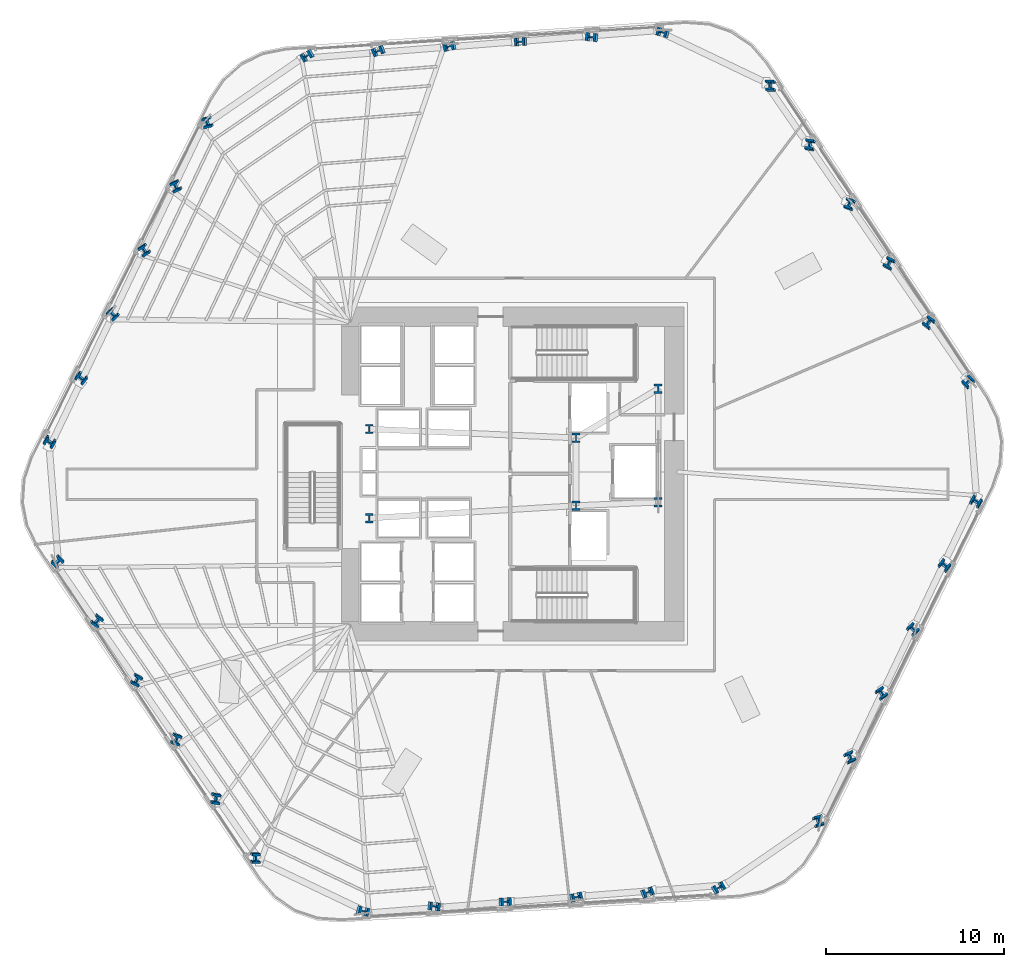
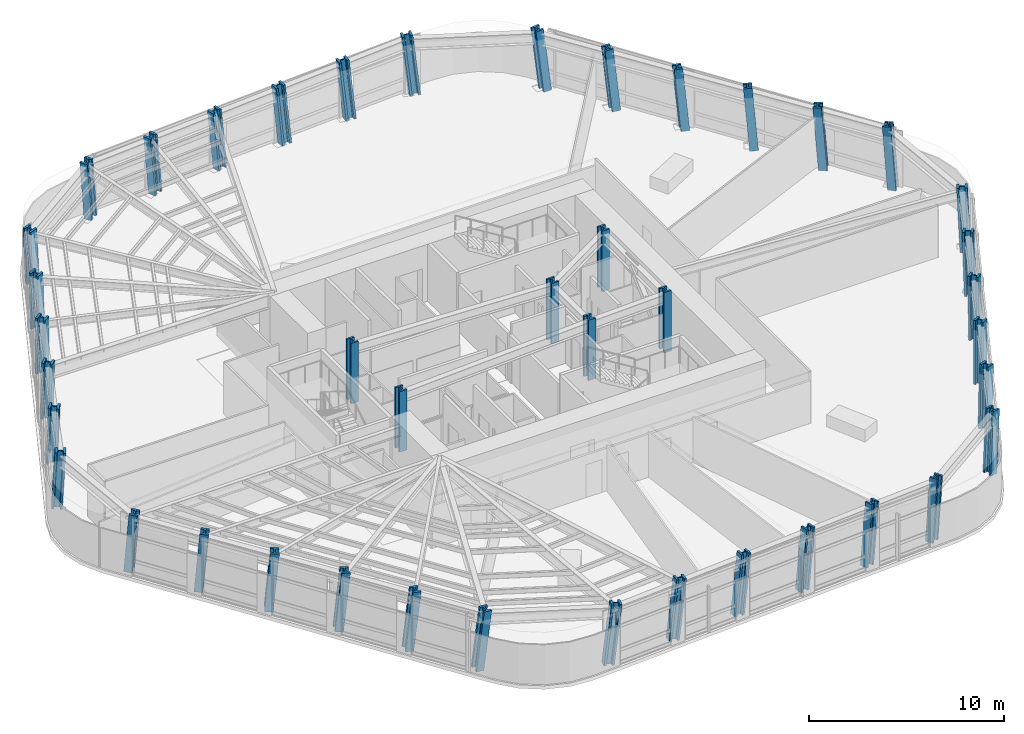
# One storey, part 1 of 15: 42 columns.
"""IFC4 building model written with IfcOpenShell, lengths in metres."""

from ifc_helpers import new_model, si_unit, direction, frame, origin, origin_2d, place, context, subcontext, project, spatial, i_section, extrude, material, material_profile, profile_set, type_object, element, save


model = new_model("IFC4")

# Units and contexts
model_context = context("Model", 3, precision=1e-05, world=origin(), true_north=direction((0.0, 1.0)))
body_context = subcontext(model_context, "Body", "Model", "MODEL_VIEW")
ifc_project = project(units=[si_unit("LENGTHUNIT", "METRE"), si_unit("AREAUNIT", "SQUARE_METRE"), si_unit("VOLUMEUNIT", "CUBIC_METRE"), si_unit("PLANEANGLEUNIT", "RADIAN"), si_unit("MASSUNIT", "GRAM", prefix="KILO")], contexts=[model_context])

# Site, building, storey
site_placement = place(None, origin())
site = spatial("IfcSite", under=ifc_project, at=site_placement, CompositionType="ELEMENT")
building_placement = place(site_placement, origin())
building = spatial("IfcBuilding", under=site, at=building_placement, Name="Valkerne Bourse Tower", CompositionType="ELEMENT")
storey_placement = place(building_placement, frame((0.0, 0.0, 39.199951171875)))
storey = spatial("IfcBuildingStorey", under=building, at=storey_placement, Name="L09", CompositionType="ELEMENT", Elevation=39.199951171875)

# Columns
ifc_material = material(Name="Steel ASTM A913 Grade 65", Category="steel")
ifc_material_profile_1 = material_profile(ifc_material, i_section(OverallWidth=0.44189453125, OverallDepth=0.531005859375, WebThickness=0.06591796875, FlangeThickness=0.105712890625, FilletRadius=0.030517578125, at=origin_2d()), Name="W14X605")
ifc_profile_set_1 = profile_set([ifc_material_profile_1], Name="Steel ASTM A913 Grade 65")
column_type_1 = type_object("IfcColumnType", Name="COL-W14X605", PredefinedType="COLUMN", material=ifc_profile_set_1)
for number, where, z_axis, x_axis, name in (
    (1, (38.75, 24.39990234375, 0.005126953125), (0.0, 0.0, 1.0), (1.0, 0.0, 0.0), "L09 Core Frame Column CC-SW"),
    (2, (38.75, 29.39990234375, 0.005126953125), (0.0, 0.0, 1.0), (1.0, 0.0, 0.0), "L09 Core Frame Column CC-NW"),
    (3, (50.35009765625, 25.10009765625, 0.005126953125), (0.0, 0.0, 1.0), (1.0, 0.0, 0.0), "L09 Core Frame Column CC-CE1"),
    (4, (50.35009765625, 28.89990234375, 0.005126953125), (0.0, 0.0, 1.0), (1.0, 0.0, 0.0), "L09 Core Frame Column CC-CE2"),
    (5, (54.949951171875, 25.300048828125, 0.005126953125), (0.0, 0.0, 1.0), (1.0, 0.0, 0.0), "L09 Core Frame Column CC-SE"),
    (6, (54.949951171875, 31.64990234375, 0.005126953125), (0.0, 0.0, 1.0), (1.0, 0.0, 0.0), "L09 Core Frame Column CC-NE"),
):
    element("IfcColumn", number, at=place(storey_placement, frame(where, z_axis=z_axis, x_axis=x_axis)), inside=storey, type_object=column_type_1, Name=name, PredefinedType="COLUMN", context=body_context, shape_type="SweptSolid", body=[
        extrude(i_section(OverallWidth=0.44189453125, OverallDepth=0.531005859375, WebThickness=0.06591796875, FlangeThickness=0.105712890625, FilletRadius=0.030517578125, at=origin_2d()), origin(), (0.0, 0.0, 1.0), 3.794921875),
    ])
ifc_material_profile_2 = material_profile(ifc_material, i_section(OverallWidth=0.45458984375, OverallDepth=0.569091796875, WebThickness=0.077880859375, FlangeThickness=0.124755859375, FilletRadius=0.030517578125, at=origin_2d()), Name="W14X730")
ifc_profile_set_2 = profile_set([ifc_material_profile_2], Name="Steel ASTM A913 Grade 65")
column_type_2 = type_object("IfcColumnType", Name="COL-W14X730", PredefinedType="COLUMN", material=ifc_profile_set_2)
column_1_placement = place(storey_placement, frame((72.34521484375, 31.978271484375, 0.010009765625), z_axis=(-0.021377319364, 0.105345889116, 0.994205840791), x_axis=(0.707022559214, -0.701500467271, 0.089533207142)))
element("IfcColumn", 7, at=column_1_placement, inside=storey, type_object=column_type_2, Name="L09 Helical Perimeter Tube Column F1-C1", PredefinedType="COLUMN", context=body_context, shape_type="SweptSolid", body=[
    extrude(i_section(OverallWidth=0.45458984375, OverallDepth=0.569091796875, WebThickness=0.077880859375, FlangeThickness=0.124755859375, FilletRadius=0.030517578125, at=origin_2d()), origin(), (0.0, 0.0, 1.0), 3.802978515625),
])
column_2_placement = place(storey_placement, frame((70.134033203125, 35.306640625, 0.010009765625), z_axis=(-0.03513438192, 0.0961538752, 0.994746202552), x_axis=(0.80413882655, -0.588294289586, 0.085267675446)))
element("IfcColumn", 8, at=column_2_placement, inside=storey, type_object=column_type_2, Name="L09 Helical Perimeter Tube Column F1-C2", PredefinedType="COLUMN", context=body_context, shape_type="SweptSolid", body=[
    extrude(i_section(OverallWidth=0.45458984375, OverallDepth=0.569091796875, WebThickness=0.077880859375, FlangeThickness=0.124755859375, FilletRadius=0.030517578125, at=origin_2d()), origin(), (0.0, 0.0, 1.0), 3.801025390625),
])
column_3_placement = place(storey_placement, frame((67.922607421875, 38.635009765625, 0.010009765625), z_axis=(-0.048764797369, 0.086928551832, 0.995020312061), x_axis=(0.888114856877, -0.452061732153, 0.083019222572)))
element("IfcColumn", 9, at=column_3_placement, inside=storey, type_object=column_type_2, Name="L09 Helical Perimeter Tube Column F1-C3", PredefinedType="COLUMN", context=body_context, shape_type="SweptSolid", body=[
    extrude(i_section(OverallWidth=0.45458984375, OverallDepth=0.569091796875, WebThickness=0.077880859375, FlangeThickness=0.124755859375, FilletRadius=0.030517578125, at=origin_2d()), origin(), (0.0, 0.0, 1.0), 3.800048828125),
])
column_4_placement = place(storey_placement, frame((65.711181640625, 41.96337890625, 0.010009765625), z_axis=(-0.062449809031, 0.07767676864, 0.995020774138), x_axis=(0.95058279076, -0.299166850671, 0.083015380324)))
element("IfcColumn", 10, at=column_4_placement, inside=storey, type_object=column_type_2, Name="L09 Helical Perimeter Tube Column F1-C4", PredefinedType="COLUMN", context=body_context, shape_type="SweptSolid", body=[
    extrude(i_section(OverallWidth=0.45458984375, OverallDepth=0.569091796875, WebThickness=0.077880859375, FlangeThickness=0.124755859375, FilletRadius=0.030517578125, at=origin_2d()), origin(), (0.0, 0.0, 1.0), 3.7998046875),
])
column_5_placement = place(storey_placement, frame((63.5, 45.291748046875, 0.010009765625), z_axis=(-0.076177925276, 0.06840597843, 0.994744965213), x_axis=(0.986210836891, -0.141830535907, 0.085277689242)))
element("IfcColumn", 11, at=column_5_placement, inside=storey, type_object=column_type_2, Name="L09 Helical Perimeter Tube Column F1-C5", PredefinedType="COLUMN", context=body_context, shape_type="SweptSolid", body=[
    extrude(i_section(OverallWidth=0.45458984375, OverallDepth=0.569091796875, WebThickness=0.077880859375, FlangeThickness=0.124755859375, FilletRadius=0.030517578125, at=origin_2d()), origin(), (0.0, 0.0, 1.0), 3.801025390625),
])
for number, where, z_axis, x_axis, name in (
    (12, (61.28857421875, 48.6201171875, 0.010009765625), (-0.08974643168, 0.05912479512, 0.994208145512), (0.995963901437, 0.006549134679, 0.089515450453), "L09 Helical Perimeter Tube Column F1-C6"),
    (13, (55.26123046875, 51.612060546875, 0.010009765625), (-0.101879753807, 0.034152507262, 0.994210300697), (0.25802344134, 0.96611509789, -0.006746951034), "L09 Helical Perimeter Tube Column F2-C1"),
):
    element("IfcColumn", number, at=place(storey_placement, frame(where, z_axis=z_axis, x_axis=x_axis)), inside=storey, type_object=column_type_2, Name=name, PredefinedType="COLUMN", context=body_context, shape_type="SweptSolid", body=[
        extrude(i_section(OverallWidth=0.45458984375, OverallDepth=0.569091796875, WebThickness=0.077880859375, FlangeThickness=0.124755859375, FilletRadius=0.030517578125, at=origin_2d()), origin(), (0.0, 0.0, 1.0), 3.802978515625),
    ])
column_6_placement = place(storey_placement, frame((51.273193359375, 51.361083984375, 0.010009765625), z_axis=(-0.100842563045, 0.017727737198, 0.994744441961), x_axis=(0.111282297848, 0.993768040058, -0.006429054784)))
element("IfcColumn", 14, at=column_6_placement, inside=storey, type_object=column_type_2, Name="L09 Helical Perimeter Tube Column F2-C2", PredefinedType="COLUMN", context=body_context, shape_type="SweptSolid", body=[
    extrude(i_section(OverallWidth=0.45458984375, OverallDepth=0.569091796875, WebThickness=0.077880859375, FlangeThickness=0.124755859375, FilletRadius=0.030517578125, at=origin_2d()), origin(), (0.0, 0.0, 1.0), 3.801025390625),
])
column_7_placement = place(storey_placement, frame((47.28515625, 51.110107421875, 0.010009765625), z_axis=(-0.099713555255, 0.001284968496, 0.995015354532), x_axis=(-0.049612242627, 0.99874892637, -0.006261585787)))
element("IfcColumn", 15, at=column_7_placement, inside=storey, type_object=column_type_2, Name="L09 Helical Perimeter Tube Column F2-C3", PredefinedType="COLUMN", context=body_context, shape_type="SweptSolid", body=[
    extrude(i_section(OverallWidth=0.45458984375, OverallDepth=0.569091796875, WebThickness=0.077880859375, FlangeThickness=0.124755859375, FilletRadius=0.030517578125, at=origin_2d()), origin(), (0.0, 0.0, 1.0), 3.800048828125),
])
column_8_placement = place(storey_placement, frame((43.296875, 50.859375, 0.010009765625), z_axis=(-0.098493413731, -0.015226966115, 0.995021199249), x_axis=(-0.214226681156, 0.976763926178, -0.006257922884)))
element("IfcColumn", 16, at=column_8_placement, inside=storey, type_object=column_type_2, Name="L09 Helical Perimeter Tube Column F2-C4", PredefinedType="COLUMN", context=body_context, shape_type="SweptSolid", body=[
    extrude(i_section(OverallWidth=0.45458984375, OverallDepth=0.569091796875, WebThickness=0.077880859375, FlangeThickness=0.124755859375, FilletRadius=0.030517578125, at=origin_2d()), origin(), (0.0, 0.0, 1.0), 3.7998046875),
])
column_9_placement = place(storey_placement, frame((39.308837890625, 50.6083984375, 0.010009765625), z_axis=(-0.097310226121, -0.031730199145, 0.994748166299), x_axis=(-0.368780092105, 0.929494454064, -0.006426782413)))
element("IfcColumn", 17, at=column_9_placement, inside=storey, type_object=column_type_2, Name="L09 Helical Perimeter Tube Column F2-C5", PredefinedType="COLUMN", context=body_context, shape_type="SweptSolid", body=[
    extrude(i_section(OverallWidth=0.45458984375, OverallDepth=0.569091796875, WebThickness=0.077880859375, FlangeThickness=0.124755859375, FilletRadius=0.030517578125, at=origin_2d()), origin(), (0.0, 0.0, 1.0), 3.801025390625),
])
for number, where, z_axis, x_axis, name in (
    (18, (35.32080078125, 50.357421875, 0.010009765625), (-0.096101694589, -0.048147141578, 0.994206375485), (-0.50286003325, 0.864341503596, -0.006749231102), "L09 Helical Perimeter Tube Column F2-C6"),
    (19, (29.716064453125, 46.6337890625, 0.010009765625), (-0.080565984988, -0.071193368408, 0.994203513551), (-0.961736814534, -0.256492142593, -0.096302026756), "L09 Helical Perimeter Tube Column F3-C1"),
):
    element("IfcColumn", number, at=place(storey_placement, frame(where, z_axis=z_axis, x_axis=x_axis)), inside=storey, type_object=column_type_2, Name=name, PredefinedType="COLUMN", context=body_context, shape_type="SweptSolid", body=[
        extrude(i_section(OverallWidth=0.45458984375, OverallDepth=0.569091796875, WebThickness=0.077880859375, FlangeThickness=0.124755859375, FilletRadius=0.030517578125, at=origin_2d()), origin(), (0.0, 0.0, 1.0), 3.802978515625),
    ])
column_10_placement = place(storey_placement, frame((27.939208984375, 43.054443359375, 0.010009765625), z_axis=(-0.065708414501, -0.078490403245, 0.994747033603), x_axis=(-0.912883891578, -0.397789182413, -0.091688422677)))
element("IfcColumn", 20, at=column_10_placement, inside=storey, type_object=column_type_2, Name="L09 Helical Perimeter Tube Column F3-C2", PredefinedType="COLUMN", context=body_context, shape_type="SweptSolid", body=[
    extrude(i_section(OverallWidth=0.45458984375, OverallDepth=0.569091796875, WebThickness=0.077880859375, FlangeThickness=0.124755859375, FilletRadius=0.030517578125, at=origin_2d()), origin(), (0.0, 0.0, 1.0), 3.801025390625),
])
for number, where, z_axis, x_axis, name in (
    (21, (26.16259765625, 39.47509765625, 0.010009765625), (-0.050949074352, -0.085707522303, 0.995016790031), (-0.837618474078, -0.538905521021, -0.089309189319), "L09 Helical Perimeter Tube Column F3-C3"),
    (22, (24.3857421875, 35.89599609375, 0.010009765625), (-0.036043409001, -0.092967580792, 0.995016533325), (-0.736738748762, -0.670253291613, -0.089311483891), "L09 Helical Perimeter Tube Column F3-C4"),
):
    element("IfcColumn", number, at=place(storey_placement, frame(where, z_axis=z_axis, x_axis=x_axis)), inside=storey, type_object=column_type_2, Name=name, PredefinedType="COLUMN", context=body_context, shape_type="SweptSolid", body=[
        extrude(i_section(OverallWidth=0.45458984375, OverallDepth=0.569091796875, WebThickness=0.077880859375, FlangeThickness=0.124755859375, FilletRadius=0.030517578125, at=origin_2d()), origin(), (0.0, 0.0, 1.0), 3.800048828125),
    ])
column_11_placement = place(storey_placement, frame((22.60888671875, 32.316650390625, 0.010009765625), z_axis=(-0.021196281631, -0.100136372918, 0.99474792006), x_axis=(-0.61951159019, -0.779615313924, -0.091680706345)))
element("IfcColumn", 23, at=column_11_placement, inside=storey, type_object=column_type_2, Name="L09 Helical Perimeter Tube Column F3-C5", PredefinedType="COLUMN", context=body_context, shape_type="SweptSolid", body=[
    extrude(i_section(OverallWidth=0.45458984375, OverallDepth=0.569091796875, WebThickness=0.077880859375, FlangeThickness=0.124755859375, FilletRadius=0.030517578125, at=origin_2d()), origin(), (0.0, 0.0, 1.0), 3.801025390625),
])
for number, where, z_axis, x_axis, name in (
    (24, (20.832275390625, 28.7373046875, 0.010009765625), (-0.0063554419, -0.107272155705, 0.994209380849), (-0.496524532194, -0.862669501425, -0.096253416773), "L09 Helical Perimeter Tube Column F3-C6"),
    (25, (21.254638671875, 22.021728515625, 0.010009765625), (0.021377319364, -0.105345889116, 0.994205840791), (0.707022559214, -0.701500467271, -0.089533207142), "L09 Helical Perimeter Tube Column F4-C1"),
):
    element("IfcColumn", number, at=place(storey_placement, frame(where, z_axis=z_axis, x_axis=x_axis)), inside=storey, type_object=column_type_2, Name=name, PredefinedType="COLUMN", context=body_context, shape_type="SweptSolid", body=[
        extrude(i_section(OverallWidth=0.45458984375, OverallDepth=0.569091796875, WebThickness=0.077880859375, FlangeThickness=0.124755859375, FilletRadius=0.030517578125, at=origin_2d()), origin(), (0.0, 0.0, 1.0), 3.802978515625),
    ])
column_12_placement = place(storey_placement, frame((23.466064453125, 18.693359375, 0.010009765625), z_axis=(0.035070229946, -0.096154091994, 0.994748445369), x_axis=(0.803792559045, -0.588769939064, -0.085249521277)))
element("IfcColumn", 26, at=column_12_placement, inside=storey, type_object=column_type_2, Name="L09 Helical Perimeter Tube Column F4-C2", PredefinedType="COLUMN", context=body_context, shape_type="SweptSolid", body=[
    extrude(i_section(OverallWidth=0.45458984375, OverallDepth=0.569091796875, WebThickness=0.077880859375, FlangeThickness=0.124755859375, FilletRadius=0.030517578125, at=origin_2d()), origin(), (0.0, 0.0, 1.0), 3.801025390625),
])
for number, where, z_axis, x_axis, name in (
    (27, (25.677490234375, 15.364990234375, 0.010009765625), (0.048764797369, -0.086928551832, 0.995020312061), (0.888114856877, -0.452061732153, -0.083019222572), "L09 Helical Perimeter Tube Column F4-C3"),
    (28, (27.888671875, 12.03662109375, 0.010009765625), (0.062513806851, -0.077676456818, 0.995016779763), (0.950730824686, -0.298686844323, -0.083048588313), "L09 Helical Perimeter Tube Column F4-C4"),
):
    element("IfcColumn", number, at=place(storey_placement, frame(where, z_axis=z_axis, x_axis=x_axis)), inside=storey, type_object=column_type_2, Name=name, PredefinedType="COLUMN", context=body_context, shape_type="SweptSolid", body=[
        extrude(i_section(OverallWidth=0.45458984375, OverallDepth=0.569091796875, WebThickness=0.077880859375, FlangeThickness=0.124755859375, FilletRadius=0.030517578125, at=origin_2d()), origin(), (0.0, 0.0, 1.0), 3.800048828125),
    ])
column_13_placement = place(storey_placement, frame((30.10009765625, 8.708251953125, 0.010009765625), z_axis=(0.076114066579, -0.068406313001, 0.994749830465), x_axis=(0.98615428732, -0.142246801278, -0.08523830786)))
element("IfcColumn", 29, at=column_13_placement, inside=storey, type_object=column_type_2, Name="L09 Helical Perimeter Tube Column F4-C5", PredefinedType="COLUMN", context=body_context, shape_type="SweptSolid", body=[
    extrude(i_section(OverallWidth=0.45458984375, OverallDepth=0.569091796875, WebThickness=0.077880859375, FlangeThickness=0.124755859375, FilletRadius=0.030517578125, at=origin_2d()), origin(), (0.0, 0.0, 1.0), 3.801025390625),
])
for number, where, z_axis, x_axis, name in (
    (30, (32.311279296875, 5.3798828125, 0.010009765625), (0.089810110368, -0.05912445436, 0.994202415493), (0.995957710257, 0.006878887275, -0.089559590719), "L09 Helical Perimeter Tube Column F4-C6"),
    (31, (38.338623046875, 2.387939453125, 0.010009765625), (0.1019432833, -0.034152283826, 0.994203796261), (0.257840470328, 0.966163919591, 0.006750728891), "L09 Helical Perimeter Tube Column F5-C1"),
):
    element("IfcColumn", number, at=place(storey_placement, frame(where, z_axis=z_axis, x_axis=x_axis)), inside=storey, type_object=column_type_2, Name=name, PredefinedType="COLUMN", context=body_context, shape_type="SweptSolid", body=[
        extrude(i_section(OverallWidth=0.45458984375, OverallDepth=0.569091796875, WebThickness=0.077880859375, FlangeThickness=0.124755859375, FilletRadius=0.030517578125, at=origin_2d()), origin(), (0.0, 0.0, 1.0), 3.802978515625),
    ])
column_14_placement = place(storey_placement, frame((42.326904296875, 2.638916015625, 0.010009765625), z_axis=(0.100778984674, -0.017727851989, 0.994750883142), x_axis=(0.11138990411, 0.993756009814, 0.006425124244)))
element("IfcColumn", 32, at=column_14_placement, inside=storey, type_object=column_type_2, Name="L09 Helical Perimeter Tube Column F5-C2", PredefinedType="COLUMN", context=body_context, shape_type="SweptSolid", body=[
    extrude(i_section(OverallWidth=0.45458984375, OverallDepth=0.569091796875, WebThickness=0.077880859375, FlangeThickness=0.124755859375, FilletRadius=0.030517578125, at=origin_2d()), origin(), (0.0, 0.0, 1.0), 3.801025390625),
])
column_15_placement = place(storey_placement, frame((46.31494140625, 2.889892578125, 0.010009765625), z_axis=(0.099649945028, -0.001284976725, 0.995021727045), x_axis=(-0.049604345925, 0.998749343633, 0.006257592006)))
element("IfcColumn", 33, at=column_15_placement, inside=storey, type_object=column_type_2, Name="L09 Helical Perimeter Tube Column F5-C3", PredefinedType="COLUMN", context=body_context, shape_type="SweptSolid", body=[
    extrude(i_section(OverallWidth=0.45458984375, OverallDepth=0.569091796875, WebThickness=0.077880859375, FlangeThickness=0.124755859375, FilletRadius=0.030517578125, at=origin_2d()), origin(), (0.0, 0.0, 1.0), 3.7998046875),
])
column_16_placement = place(storey_placement, frame((50.302978515625, 3.140625, 0.010009765625), z_axis=(0.098557038654, 0.015226869727, 0.995014900677), x_axis=(-0.214130145933, 0.976785068265, 0.006261870129)))
element("IfcColumn", 34, at=column_16_placement, inside=storey, type_object=column_type_2, Name="L09 Helical Perimeter Tube Column F5-C4", PredefinedType="COLUMN", context=body_context, shape_type="SweptSolid", body=[
    extrude(i_section(OverallWidth=0.45458984375, OverallDepth=0.569091796875, WebThickness=0.077880859375, FlangeThickness=0.124755859375, FilletRadius=0.030517578125, at=origin_2d()), origin(), (0.0, 0.0, 1.0), 3.800048828125),
])
column_17_placement = place(storey_placement, frame((54.291259765625, 3.3916015625, 0.010009765625), z_axis=(0.097310226121, 0.031730199145, 0.994748166299), x_axis=(-0.368780092105, 0.929494454064, 0.006426782413)))
element("IfcColumn", 35, at=column_17_placement, inside=storey, type_object=column_type_2, Name="L09 Helical Perimeter Tube Column F5-C5", PredefinedType="COLUMN", context=body_context, shape_type="SweptSolid", body=[
    extrude(i_section(OverallWidth=0.45458984375, OverallDepth=0.569091796875, WebThickness=0.077880859375, FlangeThickness=0.124755859375, FilletRadius=0.030517578125, at=origin_2d()), origin(), (0.0, 0.0, 1.0), 3.801025390625),
])
for number, where, z_axis, x_axis, name in (
    (36, (58.279296875, 3.642578125, 0.010009765625), (0.096101694589, 0.048147141578, 0.994206375485), (-0.50286003325, 0.864341503596, 0.006749231102), "L09 Helical Perimeter Tube Column F5-C6"),
    (37, (63.884033203125, 7.3662109375, 0.010009765625), (0.080502205178, 0.071193736477, 0.994208653577), (-0.961638731173, -0.256875592933, 0.096259443498), "L09 Helical Perimeter Tube Column F6-C1"),
):
    element("IfcColumn", number, at=place(storey_placement, frame(where, z_axis=z_axis, x_axis=x_axis)), inside=storey, type_object=column_type_2, Name=name, PredefinedType="COLUMN", context=body_context, shape_type="SweptSolid", body=[
        extrude(i_section(OverallWidth=0.45458984375, OverallDepth=0.569091796875, WebThickness=0.077880859375, FlangeThickness=0.124755859375, FilletRadius=0.030517578125, at=origin_2d()), origin(), (0.0, 0.0, 1.0), 3.802978515625),
    ])
column_18_placement = place(storey_placement, frame((65.660888671875, 10.945556640625, 0.010009765625), z_axis=(0.065708414501, 0.078490403245, 0.994747033603), x_axis=(-0.912883891578, -0.397789182413, 0.091688422677)))
element("IfcColumn", 38, at=column_18_placement, inside=storey, type_object=column_type_2, Name="L09 Helical Perimeter Tube Column F6-C2", PredefinedType="COLUMN", context=body_context, shape_type="SweptSolid", body=[
    extrude(i_section(OverallWidth=0.45458984375, OverallDepth=0.569091796875, WebThickness=0.077880859375, FlangeThickness=0.124755859375, FilletRadius=0.030517578125, at=origin_2d()), origin(), (0.0, 0.0, 1.0), 3.801025390625),
])
for number, where, z_axis, x_axis, name in (
    (39, (67.4375, 14.52490234375, 0.010009765625), (0.050949074352, 0.085707522303, 0.995016790031), (-0.837618474078, -0.538905521021, 0.089309189319), "L09 Helical Perimeter Tube Column F6-C3"),
    (40, (69.21435546875, 18.10400390625, 0.010009765625), (0.036043409001, 0.092967580792, 0.995016533325), (-0.736738748762, -0.670253291613, 0.089311483891), "L09 Helical Perimeter Tube Column F6-C4"),
):
    element("IfcColumn", number, at=place(storey_placement, frame(where, z_axis=z_axis, x_axis=x_axis)), inside=storey, type_object=column_type_2, Name=name, PredefinedType="COLUMN", context=body_context, shape_type="SweptSolid", body=[
        extrude(i_section(OverallWidth=0.45458984375, OverallDepth=0.569091796875, WebThickness=0.077880859375, FlangeThickness=0.124755859375, FilletRadius=0.030517578125, at=origin_2d()), origin(), (0.0, 0.0, 1.0), 3.800048828125),
    ])
column_19_placement = place(storey_placement, frame((70.9912109375, 21.683349609375, 0.010009765625), z_axis=(0.021132079202, 0.100136509043, 0.994749272322), x_axis=(-0.619033032834, -0.779996737678, 0.091668934064)))
element("IfcColumn", 41, at=column_19_placement, inside=storey, type_object=column_type_2, Name="L09 Helical Perimeter Tube Column F6-C5", PredefinedType="COLUMN", context=body_context, shape_type="SweptSolid", body=[
    extrude(i_section(OverallWidth=0.45458984375, OverallDepth=0.569091796875, WebThickness=0.077880859375, FlangeThickness=0.124755859375, FilletRadius=0.030517578125, at=origin_2d()), origin(), (0.0, 0.0, 1.0), 3.801025390625),
])
column_20_placement = place(storey_placement, frame((72.767822265625, 25.2626953125, 0.010009765625), z_axis=(0.0063554419, 0.107272155705, 0.994209380849), x_axis=(-0.496524532194, -0.862669501425, 0.096253416773)))
element("IfcColumn", 42, at=column_20_placement, inside=storey, type_object=column_type_2, Name="L09 Helical Perimeter Tube Column F6-C6", PredefinedType="COLUMN", context=body_context, shape_type="SweptSolid", body=[
    extrude(i_section(OverallWidth=0.45458984375, OverallDepth=0.569091796875, WebThickness=0.077880859375, FlangeThickness=0.124755859375, FilletRadius=0.030517578125, at=origin_2d()), origin(), (0.0, 0.0, 1.0), 3.802978515625),
])

save(model, "model.ifc")
